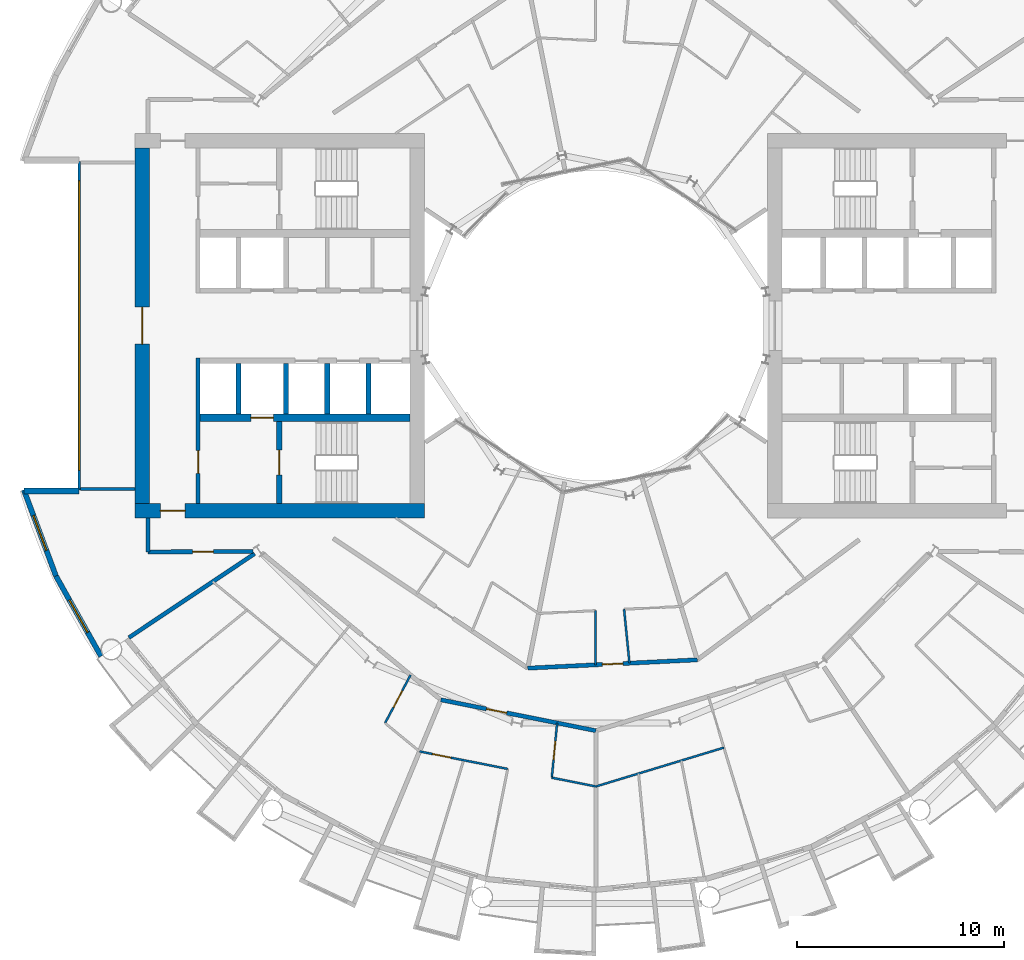
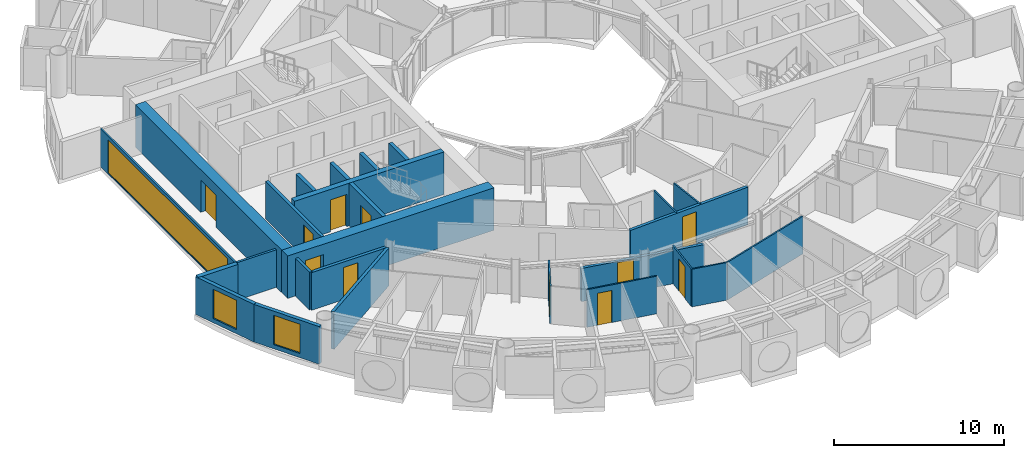
# One storey, part 14 of 26: 26 walls, 11 doors, 3 windows, 14 openings.
"""IFC4 building model written with IfcOpenShell, lengths in metres."""

from ifc_helpers import new_model, si_unit, direction, frame, frame_2d, origin, place, context, subcontext, project, spatial, rectangle, extrude, material, layer, layer_set, type_object, element, fill, save


model = new_model("IFC4")

# Units and contexts
model_context = context("Model", 3, precision=1e-05, world=origin(), true_north=direction((0.0, 1.0)))
body_context = subcontext(model_context, "Body", "Model", "MODEL_VIEW")
ifc_project = project(units=[si_unit("LENGTHUNIT", "METRE"), si_unit("AREAUNIT", "SQUARE_METRE"), si_unit("VOLUMEUNIT", "CUBIC_METRE"), si_unit("PLANEANGLEUNIT", "RADIAN"), si_unit("MASSUNIT", "GRAM", prefix="KILO")], contexts=[model_context])

# Site, building, storey
site_placement = place(None, origin())
site = spatial("IfcSite", under=ifc_project, at=site_placement, CompositionType="ELEMENT")
building_placement = place(site_placement, origin())
building = spatial("IfcBuilding", under=site, at=building_placement, Name="Maasbend Ring Residences", CompositionType="ELEMENT")
storey_placement = place(building_placement, frame((0.0, 0.0, 88.0)))
storey = spatial("IfcBuildingStorey", under=building, at=storey_placement, Name="L25", CompositionType="ELEMENT", Elevation=88.0)

# Wall, opening, door
ifc_material_1 = material(Name="Concrete C70/85", Category="concrete")
ifc_layer_1 = layer(ifc_material_1, 0.25)
ifc_layer_set_1 = layer_set([ifc_layer_1], Name="Concrete C70/85")
wall_type_1 = type_object("IfcWallType", Name="CORE WALL 250 C70/85", PredefinedType="SHEAR", material=ifc_layer_set_1)
wall_1_placement = place(storey_placement, frame((-15.324951171875, -4.64990234375, 0.0), z_axis=(0.0, 0.0, 1.0), x_axis=(0.0, -1.0, 0.0)))
wall_1 = element("IfcWall", 1, at=wall_1_placement, inside=storey, type_object=wall_type_1, Name="L25 core W wall STEN", PredefinedType="SHEAR", context=body_context, shape_type="SweptSolid", body=[
    extrude(rectangle(XDim=3.9501953125, YDim=0.25, at=frame_2d((1.97509765625, 0.0))), origin(), (0.0, 0.0, 1.0), 3.050048828125),
])
opening_1_placement = place(wall_1_placement, frame((1.375, 0.0, 0.0)))
opening_1 = element("IfcOpeningElement", 2, at=opening_1_placement, cuts=wall_1, Name="Opening D-W2510", PredefinedType="OPENING", context=body_context, shape_type="SweptSolid", body=[
    extrude(rectangle(XDim=1.199951171875, YDim=2.300048828125, at=frame_2d((0.60009765625, 1.14990234375))), frame((0.0, 0.135009765625, 0.0), z_axis=(0.0, -1.0, 0.0), x_axis=(1.0, 0.0, 0.0)), (0.0, 0.0, 1.0), 0.27001953125),
])
ifc_material_2 = material(Name="Steel, powder coated", Category="steel")
door_type_1 = type_object("IfcDoorType", Name="STAIR DOOR 1200 X 2300 FD60", OperationType="NOTDEFINED", PredefinedType="DOOR", material=ifc_material_2)
door_1_placement = place(opening_1_placement, origin())
door_1 = element("IfcDoor", 3, at=door_1_placement, inside=storey, type_object=door_type_1, Name="Stair door ST-W L25", OperationType="SINGLE_SWING_LEFT", OverallHeight=2.300048828125, OverallWidth=1.199951171875, PredefinedType="DOOR", context=body_context, shape_type="SweptSolid", body=[
    extrude(rectangle(XDim=1.199951171875, YDim=2.300048828125, at=frame_2d((0.60009765625, 1.14990234375))), frame((0.0, 0.02490234375, 0.0), z_axis=(0.0, -1.0, 0.0), x_axis=(1.0, 0.0, 0.0)), (0.0, 0.0, 1.0), 0.050048828125),
])
fill(opening_1, door_1)

ifc_material_3 = material(Name="Concrete C70/85", Category="concrete")
ifc_layer_2 = layer(ifc_material_3, 0.375)
ifc_layer_set_2 = layer_set([ifc_layer_2], Name="Concrete C70/85")
wall_type_2 = type_object("IfcWallType", Name="CORE WALL 375 C70/85", PredefinedType="SHEAR", material=ifc_layer_set_2)
wall_2_placement = place(storey_placement, frame((-9.0, -4.46240234375, 0.0), z_axis=(0.0, 0.0, 1.0), x_axis=(-1.0, 0.0, 0.0)))
wall_2 = element("IfcWall", 4, at=wall_2_placement, inside=storey, type_object=wall_type_2, Name="L25 core W wall BN", PredefinedType="SHEAR", context=body_context, shape_type="SweptSolid", body=[
    extrude(rectangle(XDim=10.14990234375, YDim=0.375, at=frame_2d((5.074951171875, 0.0))), origin(), (0.0, 0.0, 1.0), 3.050048828125),
])
opening_2_placement = place(wall_2_placement, frame((6.60009765625, 0.0, 0.0)))
opening_2 = element("IfcOpeningElement", 5, at=opening_2_placement, cuts=wall_2, Name="Opening LD-W2504", PredefinedType="OPENING", context=body_context, shape_type="SweptSolid", body=[
    extrude(rectangle(XDim=1.10009765625, YDim=2.300048828125, at=frame_2d((0.550048828125, 1.14990234375))), frame((0.0, 0.197509765625, 0.0), z_axis=(0.0, -1.0, 0.0), x_axis=(1.0, 0.0, 0.0)), (0.0, 0.0, 1.0), 0.39501953125),
])
ifc_material_4 = material(Name="Stainless steel 316", Category="steel")
door_type_2 = type_object("IfcDoorType", Name="LANDING DOOR 1100 X 2300 FD60", OperationType="DOUBLE_DOOR_SLIDING", PredefinedType="DOOR", material=ifc_material_4)
door_2_placement = place(opening_2_placement, origin())
door_2 = element("IfcDoor", 6, at=door_2_placement, inside=storey, type_object=door_type_2, Name="Landing door FF-W L25", OperationType="DOUBLE_DOOR_SLIDING", OverallHeight=2.300048828125, OverallWidth=1.10009765625, PredefinedType="DOOR", context=body_context, shape_type="SweptSolid", body=[
    extrude(rectangle(XDim=1.10009765625, YDim=2.300048828125, at=frame_2d((0.550048828125, 1.14990234375))), frame((0.0, 0.02490234375, 0.0), z_axis=(0.0, -1.0, 0.0), x_axis=(1.0, 0.0, 0.0)), (0.0, 0.0, 1.0), 0.050048828125),
])
fill(opening_2, door_2)

ifc_material_5 = material(Name="Concrete C70/85", Category="concrete")
ifc_layer_3 = layer(ifc_material_5, 0.699951171875)
ifc_layer_set_3 = layer_set([ifc_layer_3], Name="Concrete C70/85")
wall_type_3 = type_object("IfcWallType", Name="CORE WALL 700 C70/85", PredefinedType="SHEAR", material=ifc_layer_set_3)
wall_3_placement = place(storey_placement, frame((-22.300048828125, -8.949951171875, 0.0), z_axis=(0.0, 0.0, 1.0), x_axis=(1.0, 0.0, 0.0)))
wall_3 = element("IfcWall", 7, at=wall_3_placement, inside=storey, type_object=wall_type_3, Name="L25 core W wall PN", PredefinedType="SHEAR", context=body_context, shape_type="SweptSolid", body=[
    extrude(rectangle(XDim=14.0, YDim=0.699951171875, at=frame_2d((7.0, 0.0))), origin(), (0.0, 0.0, 1.0), 3.050048828125),
])
opening_3_placement = place(wall_3_placement, frame((1.22509765625, 0.0, 0.0)))
opening_3 = element("IfcOpeningElement", 8, at=opening_3_placement, cuts=wall_3, Name="Opening D-W2514", PredefinedType="OPENING", context=body_context, shape_type="SweptSolid", body=[
    extrude(rectangle(XDim=1.199951171875, YDim=2.300048828125, at=frame_2d((0.60009765625, 1.14990234375))), frame((0.0, 0.35986328125, 0.0), z_axis=(0.0, -1.0, 0.0), x_axis=(1.0, 0.0, 0.0)), (0.0, 0.0, 1.0), 0.719970703125),
])
ifc_material_6 = material(Name="Steel, powder coated", Category="steel")
door_type_3 = type_object("IfcDoorType", Name="CORRIDOR DOOR 1200 X 2300 FD30S", OperationType="NOTDEFINED", PredefinedType="DOOR", material=ifc_material_6)
door_3_placement = place(opening_3_placement, origin())
door_3 = element("IfcDoor", 9, at=door_3_placement, inside=storey, type_object=door_type_3, Name="Corridor door L25", OperationType="SINGLE_SWING_RIGHT", OverallHeight=2.300048828125, OverallWidth=1.199951171875, PredefinedType="DOOR", context=body_context, shape_type="SweptSolid", body=[
    extrude(rectangle(XDim=1.199951171875, YDim=2.300048828125, at=frame_2d((0.60009765625, 1.14990234375))), frame((0.0, 0.02490234375, 0.0), z_axis=(0.0, -1.0, 0.0), x_axis=(1.0, 0.0, 0.0)), (0.0, 0.0, 1.0), 0.050048828125),
])
fill(opening_3, door_3)

wall_4_placement = place(storey_placement, frame((-21.949951171875, -8.60009765625, 0.0), z_axis=(0.0, 0.0, 1.0), x_axis=(0.0, 1.0, 0.0)))
wall_4 = element("IfcWall", 10, at=wall_4_placement, inside=storey, type_object=wall_type_3, Name="L25 core W wall POUT", PredefinedType="SHEAR", context=body_context, shape_type="SweptSolid", body=[
    extrude(rectangle(XDim=17.2001953125, YDim=0.699951171875, at=frame_2d((8.60009765625, 0.0))), origin(), (0.0, 0.0, 1.0), 3.050048828125),
])
opening_4_placement = place(wall_4_placement, frame((7.699951171875, 0.0, 0.0)))
opening_4 = element("IfcOpeningElement", 11, at=opening_4_placement, cuts=wall_4, Name="Opening D-W2516", PredefinedType="OPENING", context=body_context, shape_type="SweptSolid", body=[
    extrude(rectangle(XDim=1.800048828125, YDim=2.300048828125, at=frame_2d((0.89990234375, 1.14990234375))), frame((0.0, 0.35986328125, 0.0), z_axis=(0.0, -1.0, 0.0), x_axis=(1.0, 0.0, 0.0)), (0.0, 0.0, 1.0), 0.719970703125),
])
ifc_material_7 = material(Name="Aluminium frame, clear glass", Category="aluminium")
door_type_4 = type_object("IfcDoorType", Name="ENTRANCE DOOR 1800 X 2300 FD60", OperationType="NOTDEFINED", PredefinedType="DOOR", material=ifc_material_7)
door_4_placement = place(opening_4_placement, origin())
door_4 = element("IfcDoor", 12, at=door_4_placement, inside=storey, type_object=door_type_4, Name="Lobby glazed door L25", OperationType="SINGLE_SWING_LEFT", OverallHeight=2.300048828125, OverallWidth=1.800048828125, PredefinedType="DOOR", context=body_context, shape_type="SweptSolid", body=[
    extrude(rectangle(XDim=1.800048828125, YDim=2.300048828125, at=frame_2d((0.89990234375, 1.14990234375))), frame((0.0, 0.02490234375, 0.0), z_axis=(0.0, -1.0, 0.0), x_axis=(1.0, 0.0, 0.0)), (0.0, 0.0, 1.0), 0.050048828125),
])
fill(opening_4, door_4)

ifc_material_8 = material(Name="Concrete C30/37", Category="concrete")
ifc_layer_4 = layer(ifc_material_8, 0.199951171875)
ifc_layer_set_4 = layer_set([ifc_layer_4], Name="Concrete C30/37")
wall_type_4 = type_object("IfcWallType", Name="CORRIDOR WALL 200 CONCRETE", PredefinedType="PARTITIONING", material=ifc_layer_set_4)
wall_5_placement = place(storey_placement, frame((-7.5009765625, -18.10791015625, 0.0), z_axis=(0.0, 0.0, 1.0), x_axis=(0.980781515054, -0.195109250749, 0.0)))
wall_5 = element("IfcWall", 13, at=wall_5_placement, inside=storey, type_object=wall_type_4, Name="U-L25-w011", PredefinedType="PARTITIONING", context=body_context, shape_type="SweptSolid", body=[
    extrude(rectangle(XDim=7.64794921875, YDim=0.199951171875, at=frame_2d((3.823974609375, 0.0))), origin(), (0.0, 0.0, 1.0), 2.3798828125),
])
opening_5_placement = place(wall_5_placement, frame((2.25, 0.0, 0.0)))
opening_5 = element("IfcOpeningElement", 14, at=opening_5_placement, cuts=wall_5, Name="Opening D-2538", PredefinedType="OPENING", context=body_context, shape_type="SweptSolid", body=[
    extrude(rectangle(XDim=1.0, YDim=2.300048828125, at=frame_2d((0.5, 1.14990234375))), frame((0.0, 0.10986328125, 0.0), z_axis=(0.0, -1.0, 0.0), x_axis=(1.0, 0.0, 0.0)), (0.0, 0.0, 1.0), 0.219970703125),
])
ifc_material_9 = material(Name="Timber, fire-rated, painted", Category="wood")
door_type_5 = type_object("IfcDoorType", Name="FLAT ENTRANCE DOOR 1000 X 2300 FIRE-RATED", OperationType="NOTDEFINED", PredefinedType="DOOR", material=ifc_material_9)
door_5_placement = place(opening_5_placement, origin())
door_5 = element("IfcDoor", 15, at=door_5_placement, inside=storey, type_object=door_type_5, Name="D-2538", OperationType="SINGLE_SWING_LEFT", OverallHeight=2.300048828125, OverallWidth=1.0, PredefinedType="DOOR", context=body_context, shape_type="SweptSolid", body=[
    extrude(rectangle(XDim=1.0, YDim=2.300048828125, at=frame_2d((0.5, 1.14990234375))), frame((0.0, 0.02490234375, 0.0), z_axis=(0.0, -1.0, 0.0), x_axis=(1.0, 0.0, 0.0)), (0.0, 0.0, 1.0), 0.050048828125),
])
fill(opening_5, door_5)

wall_6_placement = place(storey_placement, frame((-3.297119140625, -16.574951171875, 0.0), z_axis=(0.0, 0.0, 1.0), x_axis=(0.998796706656, 0.0490422142, 0.0)))
wall_6 = element("IfcWall", 16, at=wall_6_placement, inside=storey, type_object=wall_type_4, Name="U-L25-w015", PredefinedType="PARTITIONING", context=body_context, shape_type="SweptSolid", body=[
    extrude(rectangle(XDim=8.2138671875, YDim=0.199951171875, at=frame_2d((4.10693359375, 0.0))), origin(), (0.0, 0.0, 1.0), 2.699951171875),
])
opening_6_placement = place(wall_6_placement, frame((3.614013671875, 0.0, 0.0)))
opening_6 = element("IfcOpeningElement", 17, at=opening_6_placement, cuts=wall_6, Name="Opening D-2556", PredefinedType="OPENING", context=body_context, shape_type="SweptSolid", body=[
    extrude(rectangle(XDim=1.0, YDim=2.300048828125, at=frame_2d((0.5, 1.14990234375))), frame((0.0, 0.10986328125, 0.0), z_axis=(0.0, -1.0, 0.0), x_axis=(1.0, 0.0, 0.0)), (0.0, 0.0, 1.0), 0.219970703125),
])
door_6_placement = place(opening_6_placement, origin())
door_6 = element("IfcDoor", 18, at=door_6_placement, inside=storey, type_object=door_type_5, Name="D-2556", OperationType="SINGLE_SWING_RIGHT", OverallHeight=2.300048828125, OverallWidth=1.0, PredefinedType="DOOR", context=body_context, shape_type="SweptSolid", body=[
    extrude(rectangle(XDim=1.0, YDim=2.300048828125, at=frame_2d((0.5, 1.14990234375))), frame((0.0, 0.02490234375, 0.0), z_axis=(0.0, -1.0, 0.0), x_axis=(1.0, 0.0, 0.0)), (0.0, 0.0, 1.0), 0.050048828125),
])
fill(opening_6, door_6)

wall_7_placement = place(storey_placement, frame((-21.675048828125, -10.949951171875, 0.0), z_axis=(0.0, 0.0, 1.0), x_axis=(0.999988944514, 0.004702217579, 0.0)))
wall_7 = element("IfcWall", 19, at=wall_7_placement, inside=storey, type_object=wall_type_4, Name="U-L25-w024", PredefinedType="PARTITIONING", context=body_context, shape_type="SweptSolid", body=[
    extrude(rectangle(XDim=5.088134765625, YDim=0.199951171875, at=frame_2d((2.5439453125, 0.0))), origin(), (0.0, 0.0, 1.0), 2.699951171875),
])
opening_7_placement = place(wall_7_placement, frame((2.162109375, 0.0, 0.0)))
opening_7 = element("IfcOpeningElement", 20, at=opening_7_placement, cuts=wall_7, Name="Opening D-2563", PredefinedType="OPENING", context=body_context, shape_type="SweptSolid", body=[
    extrude(rectangle(XDim=1.0, YDim=2.300048828125, at=frame_2d((0.5, 1.14990234375))), frame((0.0, 0.10986328125, 0.0), z_axis=(0.0, -1.0, 0.0), x_axis=(1.0, 0.0, 0.0)), (0.0, 0.0, 1.0), 0.219970703125),
])
ifc_material_10 = material(Name="Timber, painted", Category="wood")
door_type_6 = type_object("IfcDoorType", Name="ROOM DOOR 1000 X 2300", OperationType="NOTDEFINED", PredefinedType="DOOR", material=ifc_material_10)
door_7_placement = place(opening_7_placement, origin())
door_7 = element("IfcDoor", 21, at=door_7_placement, inside=storey, type_object=door_type_6, Name="D-2563", OperationType="SINGLE_SWING_RIGHT", OverallHeight=2.300048828125, OverallWidth=1.0, PredefinedType="DOOR", context=body_context, shape_type="SweptSolid", body=[
    extrude(rectangle(XDim=1.0, YDim=2.300048828125, at=frame_2d((0.5, 1.14990234375))), frame((0.0, 0.02490234375, 0.0), z_axis=(0.0, -1.0, 0.0), x_axis=(1.0, 0.0, 0.0)), (0.0, 0.0, 1.0), 0.050048828125),
])
fill(opening_7, door_7)

# Wall
wall_8_placement = place(storey_placement, frame((-21.675048828125, -10.949951171875, 0.0), z_axis=(0.0, 0.0, 1.0), x_axis=(0.0, 1.0, 0.0)))
element("IfcWall", 22, at=wall_8_placement, inside=storey, type_object=wall_type_4, Name="U-L25-w106", PredefinedType="PARTITIONING", context=body_context, shape_type="SweptSolid", body=[
    extrude(rectangle(XDim=1.64990234375, YDim=0.199951171875, at=frame_2d((0.824951171875, 0.0))), origin(), (0.0, 0.0, 1.0), 2.699951171875),
])

# Wall, opening, window
ifc_material_11 = material(Name="Aluminium clad insulated panel", Category="aluminium")
ifc_layer_5 = layer(ifc_material_11, 0.25)
ifc_layer_set_5 = layer_set([ifc_layer_5], Name="EW-HORN")
wall_type_5 = type_object("IfcWallType", Name="EW-HORN", PredefinedType="SOLIDWALL", material=ifc_layer_set_5)
wall_9_placement = place(storey_placement, frame((-27.681884765625, -7.945068359375, 0.0), z_axis=(0.0, 0.0, 1.0), x_axis=(0.349247811493, -0.937030397675, 0.0)))
wall_9 = element("IfcWall", 23, at=wall_9_placement, inside=storey, type_object=wall_type_5, Name="Horn wall 3.1", PredefinedType="SOLIDWALL", context=body_context, shape_type="SweptSolid", body=[
    extrude(rectangle(XDim=4.4521484375, YDim=0.25, at=frame_2d((2.22607421875, 0.0))), origin(), (0.0, 0.0, 1.0), 2.699951171875),
])
opening_8_placement = place(wall_9_placement, frame((1.32666015625, 0.0, 0.300048828125)))
opening_8 = element("IfcOpeningElement", 24, at=opening_8_placement, cuts=wall_9, Name="Opening W-BX", PredefinedType="OPENING", context=body_context, shape_type="SweptSolid", body=[
    extrude(rectangle(XDim=1.800048828125, YDim=2.10009765625, at=frame_2d((0.89990234375, 1.050048828125))), frame((0.0, 0.135009765625, 0.0), z_axis=(0.0, -1.0, 0.0), x_axis=(1.0, 0.0, 0.0)), (0.0, 0.0, 1.0), 0.27001953125),
])
ifc_material_12 = material(Name="Aluminium and clear glass", Category="aluminium")
window_type_1 = type_object("IfcWindowType", Name="W-BX", PartitioningType="DOUBLE_PANEL_VERTICAL", PredefinedType="WINDOW", material=ifc_material_12)
window_1_placement = place(opening_8_placement, origin())
window_1 = element("IfcWindow", 25, at=window_1_placement, inside=storey, type_object=window_type_1, Name="Horn window 3.1", OverallHeight=2.10009765625, OverallWidth=1.800048828125, PartitioningType="SINGLE_PANEL", PredefinedType="WINDOW", context=body_context, shape_type="SweptSolid", body=[
    extrude(rectangle(XDim=1.800048828125, YDim=2.10009765625, at=frame_2d((0.89990234375, 1.050048828125))), frame((0.0, 0.030029296875, 0.0), z_axis=(0.0, -1.0, 0.0), x_axis=(1.0, 0.0, 0.0)), (0.0, 0.0, 1.0), 0.06005859375),
])
fill(opening_8, window_1)

wall_10_placement = place(storey_placement, frame((-26.126953125, -12.116943359375, 0.0), z_axis=(0.0, 0.0, 1.0), x_axis=(0.489696356642, -0.871893042919, 0.0)))
wall_10 = element("IfcWall", 26, at=wall_10_placement, inside=storey, type_object=wall_type_5, Name="Horn wall 3.2", PredefinedType="SOLIDWALL", context=body_context, shape_type="SweptSolid", body=[
    extrude(rectangle(XDim=4.45361328125, YDim=0.25, at=frame_2d((2.226806640625, 0.0))), origin(), (0.0, 0.0, 1.0), 2.699951171875),
])
opening_9_placement = place(wall_10_placement, frame((1.32666015625, 0.0, 0.300048828125)))
opening_9 = element("IfcOpeningElement", 27, at=opening_9_placement, cuts=wall_10, Name="Opening W-BX", PredefinedType="OPENING", context=body_context, shape_type="SweptSolid", body=[
    extrude(rectangle(XDim=1.800048828125, YDim=2.10009765625, at=frame_2d((0.89990234375, 1.050048828125))), frame((0.0, 0.135009765625, 0.0), z_axis=(0.0, -1.0, 0.0), x_axis=(1.0, 0.0, 0.0)), (0.0, 0.0, 1.0), 0.27001953125),
])
window_2_placement = place(opening_9_placement, origin())
window_2 = element("IfcWindow", 28, at=window_2_placement, inside=storey, type_object=window_type_1, Name="Horn window 3.2", OverallHeight=2.10009765625, OverallWidth=1.800048828125, PartitioningType="SINGLE_PANEL", PredefinedType="WINDOW", context=body_context, shape_type="SweptSolid", body=[
    extrude(rectangle(XDim=1.800048828125, YDim=2.10009765625, at=frame_2d((0.89990234375, 1.050048828125))), frame((0.0, 0.030029296875, 0.0), z_axis=(0.0, -1.0, 0.0), x_axis=(1.0, 0.0, 0.0)), (0.0, 0.0, 1.0), 0.06005859375),
])
fill(opening_9, window_2)

# Wall
ifc_material_13 = material(Name="Aluminium clad insulated panel", Category="aluminium")
ifc_layer_6 = layer(ifc_material_13, 0.300048828125)
ifc_layer_set_6 = layer_set([ifc_layer_6], Name="EW-RET")
wall_type_6 = type_object("IfcWallType", Name="EW-RET", PredefinedType="SOLIDWALL", material=ifc_layer_set_6)
wall_11_placement = place(storey_placement, frame((-25.0, -8.0, 0.0), z_axis=(0.0, 0.0, 1.0), x_axis=(-1.0, 0.0, 0.0)))
element("IfcWall", 29, at=wall_11_placement, inside=storey, type_object=wall_type_6, Name="Notch return wall west south", PredefinedType="SOLIDWALL", context=body_context, shape_type="SweptSolid", body=[
    extrude(rectangle(XDim=2.6669921875, YDim=0.300048828125, at=frame_2d((1.33349609375, 0.0))), origin(), (0.0, 0.0, 1.0), 2.699951171875),
])

# Wall, opening, window
ifc_material_14 = material(Name="Aluminium frame and clear glass", Category="aluminium")
ifc_layer_7 = layer(ifc_material_14, 0.1201171875)
ifc_layer_set_7 = layer_set([ifc_layer_7], Name="GLAZED SCREEN WALL 120 EI 60")
wall_type_7 = type_object("IfcWallType", Name="GLAZED SCREEN WALL 120 EI 60", PredefinedType="PARTITIONING", material=ifc_layer_set_7)
wall_12_placement = place(storey_placement, frame((-25.0, 7.949951171875, 0.0), z_axis=(0.0, 0.0, 1.0), x_axis=(0.0, -1.0, 0.0)))
wall_12 = element("IfcWall", 30, at=wall_12_placement, inside=storey, type_object=wall_type_7, Name="L25 core W wall FACE", PredefinedType="PARTITIONING", context=body_context, shape_type="SweptSolid", body=[
    extrude(rectangle(XDim=15.89990234375, YDim=0.1201171875, at=frame_2d((7.949951171875, 0.0))), origin(), (0.0, 0.0, 1.0), 2.699951171875),
])
opening_10_placement = place(wall_12_placement, frame((0.949951171875, 0.0, 0.10009765625)))
opening_10 = element("IfcOpeningElement", 31, at=opening_10_placement, cuts=wall_12, Name="Opening W-W2502", PredefinedType="OPENING", context=body_context, shape_type="SweptSolid", body=[
    extrude(rectangle(XDim=14.0, YDim=2.35009765625, at=frame_2d((7.0, 1.175048828125))), frame((0.0, 0.070068359375, 0.0), z_axis=(0.0, -1.0, 0.0), x_axis=(1.0, 0.0, 0.0)), (0.0, 0.0, 1.0), 0.14013671875),
])
ifc_material_15 = material(Name="Aluminium frame and clear glass", Category="aluminium")
window_type_2 = type_object("IfcWindowType", Name="FIXED WINDOW 14000 X 2350", PartitioningType="SINGLE_PANEL", PredefinedType="WINDOW", material=ifc_material_15)
window_3_placement = place(opening_10_placement, origin())
window_3 = element("IfcWindow", 32, at=window_3_placement, inside=storey, type_object=window_type_2, Name="Lobby window L25", OverallHeight=2.35009765625, OverallWidth=14.0, PartitioningType="SINGLE_PANEL", PredefinedType="WINDOW", context=body_context, shape_type="SweptSolid", body=[
    extrude(rectangle(XDim=14.0, YDim=2.35009765625, at=frame_2d((7.0, 1.175048828125))), frame((0.0, 0.030029296875, 0.0), z_axis=(0.0, -1.0, 0.0), x_axis=(1.0, 0.0, 0.0)), (0.0, 0.0, 1.0), 0.06005859375),
])
fill(opening_10, window_3)

# Wall, opening, door
ifc_material_16 = material(Name="Gypsum board on steel studs", Category="steel")
ifc_layer_8 = layer(ifc_material_16, 0.10009765625)
ifc_layer_set_8 = layer_set([ifc_layer_8], Name="PARTITION 100 GYPSUM")
wall_type_8 = type_object("IfcWallType", Name="PARTITION 100 GYPSUM", PredefinedType="PARTITIONING", material=ifc_layer_set_8)
wall_13_placement = place(storey_placement, frame((-8.535888671875, -20.60302734375, 0.0), z_axis=(0.0, 0.0, 1.0), x_axis=(0.980795826794, -0.195037294239, 0.0)))
wall_13 = element("IfcWall", 33, at=wall_13_placement, inside=storey, type_object=wall_type_8, Name="U-L25-w001", PredefinedType="PARTITIONING", context=body_context, shape_type="SweptSolid", body=[
    extrude(rectangle(XDim=4.352294921875, YDim=0.10009765625, at=frame_2d((2.17626953125, 0.0))), origin(), (0.0, 0.0, 1.0), 2.699951171875),
])
opening_11_placement = place(wall_13_placement, frame((0.638916015625, 0.0, 0.0)))
opening_11 = element("IfcOpeningElement", 34, at=opening_11_placement, cuts=wall_13, Name="Opening D-2541", PredefinedType="OPENING", context=body_context, shape_type="SweptSolid", body=[
    extrude(rectangle(XDim=0.89990234375, YDim=2.300048828125, at=frame_2d((0.449951171875, 1.14990234375))), frame((0.0, 0.06005859375, 0.0), z_axis=(0.0, -1.0, 0.0), x_axis=(1.0, 0.0, 0.0)), (0.0, 0.0, 1.0), 0.1201171875),
])
ifc_material_17 = material(Name="Timber, painted", Category="wood")
door_type_7 = type_object("IfcDoorType", Name="INTERNAL DOOR 900 X 2300", OperationType="NOTDEFINED", PredefinedType="DOOR", material=ifc_material_17)
door_8_placement = place(opening_11_placement, origin())
door_8 = element("IfcDoor", 35, at=door_8_placement, inside=storey, type_object=door_type_7, Name="D-2541", OperationType="SINGLE_SWING_LEFT", OverallHeight=2.300048828125, OverallWidth=0.89990234375, PredefinedType="DOOR", context=body_context, shape_type="SweptSolid", body=[
    extrude(rectangle(XDim=0.89990234375, YDim=2.300048828125, at=frame_2d((0.449951171875, 1.14990234375))), frame((0.0, 0.02490234375, 0.0), z_axis=(0.0, -1.0, 0.0), x_axis=(1.0, 0.0, 0.0)), (0.0, 0.0, 1.0), 0.050048828125),
])
fill(opening_11, door_8)

# Walls
wall_14_placement = place(storey_placement, frame((-2.133056640625, -21.8759765625, 0.0), z_axis=(0.0, 0.0, 1.0), x_axis=(0.980804550577, -0.194993419292, 0.0)))
element("IfcWall", 36, at=wall_14_placement, inside=storey, type_object=wall_type_8, Name="U-L25-w002", PredefinedType="PARTITIONING", context=body_context, shape_type="SweptSolid", body=[
    extrude(rectangle(XDim=2.1748046875, YDim=0.10009765625, at=frame_2d((1.08740234375, 0.0))), origin(), (0.0, 0.0, 1.0), 2.699951171875),
])
wall_15_placement = place(storey_placement, frame((0.0, -22.300048828125, 0.0), z_axis=(0.0, 0.0, 1.0), x_axis=(0.956940987612, 0.290282528286, 0.0)))
element("IfcWall", 37, at=wall_15_placement, inside=storey, type_object=wall_type_8, Name="U-L25-w009", PredefinedType="PARTITIONING", context=body_context, shape_type="SweptSolid", body=[
    extrude(rectangle(XDim=6.476806640625, YDim=0.10009765625, at=frame_2d((3.23828125, 0.0))), origin(), (0.0, 0.0, 1.0), 2.699951171875),
])

# Wall, opening, door
wall_16_placement = place(storey_placement, frame((-10.201904296875, -19.23388671875, 0.0), z_axis=(0.0, 0.0, 1.0), x_axis=(0.468462103808, 0.883483591979, 0.0)))
wall_16 = element("IfcWall", 38, at=wall_16_placement, inside=storey, type_object=wall_type_8, Name="U-L25-w039", PredefinedType="PARTITIONING", context=body_context, shape_type="SweptSolid", body=[
    extrude(rectangle(XDim=2.635986328125, YDim=0.10009765625, at=frame_2d((1.31787109375, 0.0))), origin(), (0.0, 0.0, 1.0), 2.699951171875),
])
opening_12_placement = place(wall_16_placement, frame((0.867919921875, 0.0, 0.0)))
opening_12 = element("IfcOpeningElement", 39, at=opening_12_placement, cuts=wall_16, Name="Opening D-2533", PredefinedType="OPENING", context=body_context, shape_type="SweptSolid", body=[
    extrude(rectangle(XDim=0.89990234375, YDim=2.300048828125, at=frame_2d((0.449951171875, 1.14990234375))), frame((0.0, 0.06005859375, 0.0), z_axis=(0.0, -1.0, 0.0), x_axis=(1.0, 0.0, 0.0)), (0.0, 0.0, 1.0), 0.1201171875),
])
door_9_placement = place(opening_12_placement, origin())
door_9 = element("IfcDoor", 40, at=door_9_placement, inside=storey, type_object=door_type_7, Name="D-2533", OperationType="SINGLE_SWING_RIGHT", OverallHeight=2.300048828125, OverallWidth=0.89990234375, PredefinedType="DOOR", context=body_context, shape_type="SweptSolid", body=[
    extrude(rectangle(XDim=0.89990234375, YDim=2.300048828125, at=frame_2d((0.449951171875, 1.14990234375))), frame((0.0, 0.02490234375, 0.0), z_axis=(0.0, -1.0, 0.0), x_axis=(1.0, 0.0, 0.0)), (0.0, 0.0, 1.0), 0.050048828125),
])
fill(opening_12, door_9)

wall_17_placement = place(storey_placement, frame((-2.133056640625, -21.8759765625, 0.0), z_axis=(0.0, 0.0, 1.0), x_axis=(0.096960338807, 0.995288246036, 0.0)))
wall_17 = element("IfcWall", 41, at=wall_17_placement, inside=storey, type_object=wall_type_8, Name="U-L25-w053", PredefinedType="PARTITIONING", context=body_context, shape_type="SweptSolid", body=[
    extrude(rectangle(XDim=2.661376953125, YDim=0.10009765625, at=frame_2d((1.33056640625, 0.0))), origin(), (0.0, 0.0, 1.0), 2.699951171875),
])
opening_13_placement = place(wall_17_placement, frame((0.881103515625, 0.0, 0.0)))
opening_13 = element("IfcOpeningElement", 42, at=opening_13_placement, cuts=wall_17, Name="Opening D-2539", PredefinedType="OPENING", context=body_context, shape_type="SweptSolid", body=[
    extrude(rectangle(XDim=0.89990234375, YDim=2.300048828125, at=frame_2d((0.449951171875, 1.14990234375))), frame((0.0, 0.06005859375, 0.0), z_axis=(0.0, -1.0, 0.0), x_axis=(1.0, 0.0, 0.0)), (0.0, 0.0, 1.0), 0.1201171875),
])
door_10_placement = place(opening_13_placement, origin())
door_10 = element("IfcDoor", 43, at=door_10_placement, inside=storey, type_object=door_type_7, Name="D-2539", OperationType="SINGLE_SWING_LEFT", OverallHeight=2.300048828125, OverallWidth=0.89990234375, PredefinedType="DOOR", context=body_context, shape_type="SweptSolid", body=[
    extrude(rectangle(XDim=0.89990234375, YDim=2.300048828125, at=frame_2d((0.449951171875, 1.14990234375))), frame((0.0, 0.02490234375, 0.0), z_axis=(0.0, -1.0, 0.0), x_axis=(1.0, 0.0, 0.0)), (0.0, 0.0, 1.0), 0.050048828125),
])
fill(opening_13, door_10)

# Walls
wall_18_placement = place(storey_placement, frame((-0.01611328125, -16.4140625, 0.0), z_axis=(0.0, 0.0, 1.0), x_axis=(0.001210427419, 0.999999267432, 0.0)))
element("IfcWall", 44, at=wall_18_placement, inside=storey, type_object=wall_type_8, Name="U-L25-w055", PredefinedType="PARTITIONING", context=body_context, shape_type="SweptSolid", body=[
    extrude(rectangle(XDim=2.6220703125, YDim=0.10009765625, at=frame_2d((1.31103515625, 0.0))), origin(), (0.0, 0.0, 1.0), 2.699951171875),
])
wall_19_placement = place(storey_placement, frame((1.364990234375, -13.72412109375, 0.0), z_axis=(0.0, 0.0, 1.0), x_axis=(0.099171803948, -0.995070325807, 0.0)))
element("IfcWall", 45, at=wall_19_placement, inside=storey, type_object=wall_type_8, Name="U-L25-w059", PredefinedType="PARTITIONING", context=body_context, shape_type="SweptSolid", body=[
    extrude(rectangle(XDim=2.621826171875, YDim=0.10009765625, at=frame_2d((1.31103515625, 0.0))), origin(), (0.0, 0.0, 1.0), 2.699951171875),
])
ifc_material_18 = material(Name="Gypsum board on steel studs", Category="steel")
ifc_layer_9 = layer(ifc_material_18, 0.14990234375)
ifc_layer_set_9 = layer_set([ifc_layer_9], Name="PARTITION 150 EI 60")
wall_type_9 = type_object("IfcWallType", Name="PARTITION 150 EI 60", PredefinedType="PARTITIONING", material=ifc_layer_set_9)
wall_20_placement = place(storey_placement, frame((-22.300048828125, -7.89990234375, 0.0), z_axis=(0.0, 0.0, 1.0), x_axis=(-1.0, 0.0, 0.0)))
element("IfcWall", 46, at=wall_20_placement, inside=storey, type_object=wall_type_9, Name="L25 core W wall CITN", PredefinedType="PARTITIONING", context=body_context, shape_type="SweptSolid", body=[
    extrude(rectangle(XDim=2.639892578125, YDim=0.14990234375, at=frame_2d((1.31982421875, 0.0))), origin(), (0.0, 0.0, 1.0), 2.699951171875),
])
ifc_material_19 = material(Name="Concrete C30/37", Category="concrete")
ifc_layer_10 = layer(ifc_material_19, 0.199951171875)
ifc_layer_set_10 = layer_set([ifc_layer_10], Name="Concrete C30/37")
wall_type_10 = type_object("IfcWallType", Name="PARTY WALL 200 CONCRETE", PredefinedType="PARTITIONING", material=ifc_layer_set_10)
wall_21_placement = place(storey_placement, frame((-22.594970703125, -15.096923828125, 0.0), z_axis=(0.0, 0.0, 1.0), x_axis=(0.831505405283, 0.555516661303, 0.0)))
element("IfcWall", 47, at=wall_21_placement, inside=storey, type_object=wall_type_10, Name="U-L25-w029", PredefinedType="PARTITIONING", context=body_context, shape_type="SweptSolid", body=[
    extrude(rectangle(XDim=7.31201171875, YDim=0.199951171875, at=frame_2d((3.656005859375, 0.0))), origin(), (0.0, 0.0, 1.0), 2.699951171875),
])

# Wall, opening, door
ifc_material_20 = material(Name="Concrete C30/37", Category="concrete")
ifc_layer_11 = layer(ifc_material_20, 0.199951171875)
ifc_layer_set_11 = layer_set([ifc_layer_11], Name="Concrete C30/37")
wall_type_11 = type_object("IfcWallType", Name="SHAFT WALL 200 EI 120", PredefinedType="SOLIDWALL", material=ifc_layer_set_11)
wall_22_placement = place(storey_placement, frame((-19.25, -1.574951171875, 0.0), z_axis=(0.0, 0.0, 1.0), x_axis=(0.0, -1.0, 0.0)))
wall_22 = element("IfcWall", 48, at=wall_22_placement, inside=storey, type_object=wall_type_11, Name="L25 core W wall ENDN", PredefinedType="SOLIDWALL", context=body_context, shape_type="SweptSolid", body=[
    extrude(rectangle(XDim=7.025146484375, YDim=0.199951171875, at=frame_2d((3.5126953125, 0.0))), origin(), (0.0, 0.0, 1.0), 2.699951171875),
])
opening_14_placement = place(wall_22_placement, frame((4.47509765625, 0.0, 0.0)))
opening_14 = element("IfcOpeningElement", 49, at=opening_14_placement, cuts=wall_22, Name="Opening D-W2512", PredefinedType="OPENING", context=body_context, shape_type="SweptSolid", body=[
    extrude(rectangle(XDim=1.10009765625, YDim=2.300048828125, at=frame_2d((0.550048828125, 1.14990234375))), frame((0.0, 0.10986328125, 0.0), z_axis=(0.0, -1.0, 0.0), x_axis=(1.0, 0.0, 0.0)), (0.0, 0.0, 1.0), 0.219970703125),
])
ifc_material_21 = material(Name="Steel, powder coated", Category="steel")
door_type_8 = type_object("IfcDoorType", Name="LOBBY DOOR 1100 X 2300 FD60", OperationType="NOTDEFINED", PredefinedType="DOOR", material=ifc_material_21)
door_11_placement = place(opening_14_placement, origin())
door_11 = element("IfcDoor", 50, at=door_11_placement, inside=storey, type_object=door_type_8, Name="Lobby door L25", OperationType="SINGLE_SWING_LEFT", OverallHeight=2.300048828125, OverallWidth=1.10009765625, PredefinedType="DOOR", context=body_context, shape_type="SweptSolid", body=[
    extrude(rectangle(XDim=1.10009765625, YDim=2.300048828125, at=frame_2d((0.550048828125, 1.14990234375))), frame((0.0, 0.02490234375, 0.0), z_axis=(0.0, -1.0, 0.0), x_axis=(1.0, 0.0, 0.0)), (0.0, 0.0, 1.0), 0.050048828125),
])
fill(opening_14, door_11)

# Walls
ifc_material_22 = material(Name="Concrete C30/37", Category="concrete")
ifc_layer_12 = layer(ifc_material_22, 0.25)
ifc_layer_set_12 = layer_set([ifc_layer_12], Name="Concrete C30/37")
wall_type_12 = type_object("IfcWallType", Name="SHAFT WALL 250 EI 120", PredefinedType="SOLIDWALL", material=ifc_layer_set_12)
for number, where, z_axis, x_axis, name in (
    (51, (-15.0, -1.824951171875, 0.0), (0.0, 0.0, 1.0), (0.0, -1.0, 0.0), "L25 core W wall D150N"),
    (52, (-17.300048828125, -1.824951171875, 0.0), (0.0, 0.0, 1.0), (0.0, -1.0, 0.0), "L25 core W wall D173N"),
    (53, (-11.0, -1.824951171875, 0.0), (0.0, 0.0, 1.0), (0.0, -1.0, 0.0), "L25 core W wall D110N"),
    (54, (-13.0, -1.824951171875, 0.0), (0.0, 0.0, 1.0), (0.0, -1.0, 0.0), "L25 core W wall D130N"),
):
    element("IfcWall", number, at=place(storey_placement, frame(where, z_axis=z_axis, x_axis=x_axis)), inside=storey, type_object=wall_type_12, Name=name, PredefinedType="SOLIDWALL", context=body_context, shape_type="SweptSolid", body=[
        extrude(rectangle(XDim=2.449951171875, YDim=0.25, at=frame_2d((1.22509765625, 0.0))), origin(), (0.0, 0.0, 1.0), 2.699951171875),
    ])

save(model, "model.ifc")
